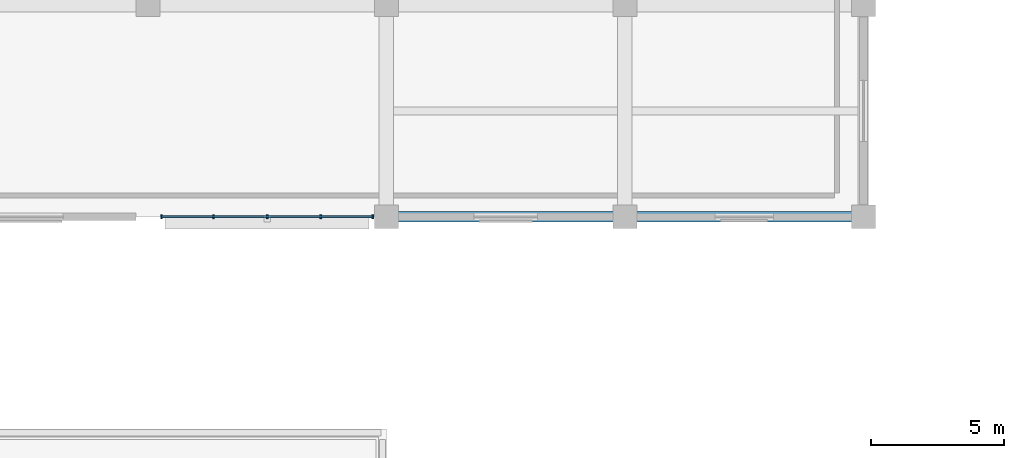
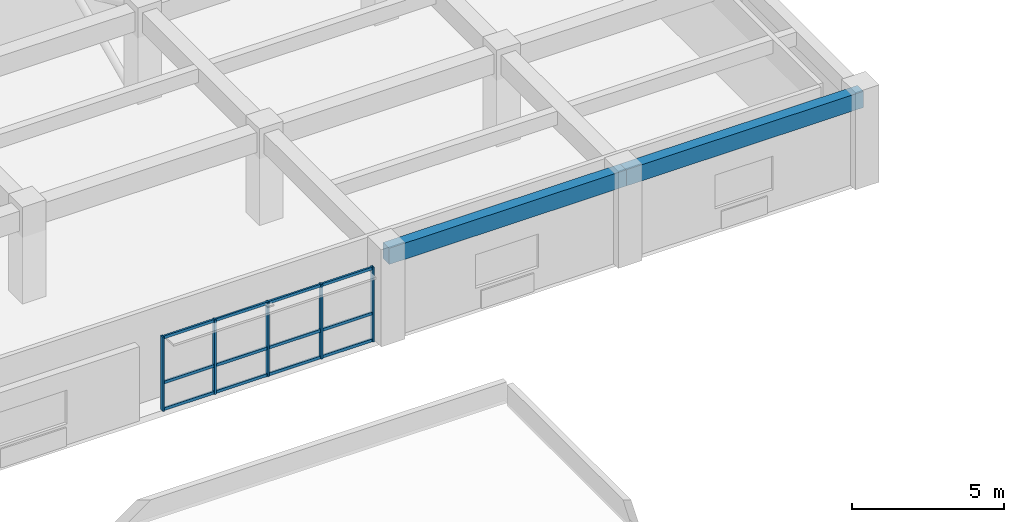
# One storey, part 3 of 23: 8 members, 2 beams, 1 element without a shape of its own.
"""IFC4 building model written with IfcOpenShell, lengths in metres."""

from ifc_helpers import new_model, si_unit, direction, frame, origin, origin_2d, place, context, subcontext, project, spatial, rectangle, extrude, material, material_profile, profile_set, type_object, element, aggregate, save


model = new_model("IFC4")

# Units and contexts
model_context = context("Model", 3, precision=1e-05, world=origin(), true_north=direction((0.0, 1.0)))
body_context = subcontext(model_context, "Body", "Model", "MODEL_VIEW")
ifc_project = project(units=[si_unit("LENGTHUNIT", "METRE"), si_unit("AREAUNIT", "SQUARE_METRE"), si_unit("VOLUMEUNIT", "CUBIC_METRE"), si_unit("PLANEANGLEUNIT", "RADIAN"), si_unit("MASSUNIT", "GRAM", prefix="KILO")], contexts=[model_context])

# Site, building, storey
site_placement = place(None, origin())
site = spatial("IfcSite", under=ifc_project, at=site_placement, CompositionType="ELEMENT")
building_placement = place(site_placement, origin())
building = spatial("IfcBuilding", under=site, at=building_placement, Name="Zaverband Oceanarium and Marine Research Institute", CompositionType="ELEMENT")
storey_placement = place(building_placement, frame((0.0, 0.0, 21.89990234375)))
storey = spatial("IfcBuildingStorey", under=building, at=storey_placement, Name="L05", CompositionType="ELEMENT", Elevation=21.89990234375)

# Curtain wall, members
ifc_material_1 = material(Name="Thermally broken anodized aluminium and solar-control glass", Category="aluminium")
curtain_wall_type = type_object("IfcCurtainWallType", Name="CW-UNIT-1800", PredefinedType="NOTDEFINED", material=ifc_material_1)
curtain_wall_placement = place(storey_placement, origin())
curtain_wall = element("IfcCurtainWall", 1, at=curtain_wall_placement, inside=storey, type_object=curtain_wall_type, Name="Unitised glazed curtain wall CW-069", PredefinedType="NOTDEFINED")
ifc_material_2 = material(Name="Thermally broken anodized aluminium", Category="aluminium")
ifc_material_profile_1 = material_profile(ifc_material_2, rectangle(XDim=0.070068359375, YDim=0.14990234375, at=origin_2d()), Name="AL-MUL-70x150")
ifc_profile_set_1 = profile_set([ifc_material_profile_1], Name="Thermally broken anodized aluminium")
member_type_1 = type_object("IfcMemberType", Name="MUL-70x150", PredefinedType="MULLION", material=ifc_profile_set_1)
member_1_placement = place(storey_placement, frame((45.514892578125, 64.0, 0.0), z_axis=(0.0, 0.0, 1.0), x_axis=(1.0, 0.0, 0.0)))
member_1 = element("IfcMember", 2, at=member_1_placement, type_object=member_type_1, Name="Curtain wall vertical mullion MUL-70x150", PredefinedType="MULLION", context=body_context, shape_type="SweptSolid", body=[
    extrude(rectangle(XDim=0.070068359375, YDim=0.14990234375, at=origin_2d()), origin(), (0.0, 0.0, 1.0), 2.97998046875),
])
member_2_placement = place(storey_placement, frame((47.4775390625, 64.0, 0.0), z_axis=(0.0, 0.0, 1.0), x_axis=(1.0, 0.0, 0.0)))
member_2 = element("IfcMember", 3, at=member_2_placement, type_object=member_type_1, Name="Curtain wall vertical mullion MUL-70x150", PredefinedType="MULLION", context=body_context, shape_type="SweptSolid", body=[
    extrude(rectangle(XDim=0.070068359375, YDim=0.14990234375, at=origin_2d()), origin(), (0.0, 0.0, 1.0), 2.97998046875),
])
member_3_placement = place(storey_placement, frame((49.5, 64.0, 0.0), z_axis=(0.0, 0.0, 1.0), x_axis=(1.0, 0.0, 0.0)))
member_3 = element("IfcMember", 4, at=member_3_placement, type_object=member_type_1, Name="Curtain wall vertical mullion MUL-70x150", PredefinedType="MULLION", context=body_context, shape_type="SweptSolid", body=[
    extrude(rectangle(XDim=0.070068359375, YDim=0.14990234375, at=origin_2d()), origin(), (0.0, 0.0, 1.0), 2.97998046875),
])
member_4_placement = place(storey_placement, frame((51.5224609375, 64.0, 0.0), z_axis=(0.0, 0.0, 1.0), x_axis=(1.0, 0.0, 0.0)))
member_4 = element("IfcMember", 5, at=member_4_placement, type_object=member_type_1, Name="Curtain wall vertical mullion MUL-70x150", PredefinedType="MULLION", context=body_context, shape_type="SweptSolid", body=[
    extrude(rectangle(XDim=0.070068359375, YDim=0.14990234375, at=origin_2d()), origin(), (0.0, 0.0, 1.0), 2.97998046875),
])
member_5_placement = place(storey_placement, frame((53.485107421875, 64.0, 0.0), z_axis=(0.0, 0.0, 1.0), x_axis=(1.0, 0.0, 0.0)))
member_5 = element("IfcMember", 6, at=member_5_placement, type_object=member_type_1, Name="Curtain wall vertical mullion MUL-70x150", PredefinedType="MULLION", context=body_context, shape_type="SweptSolid", body=[
    extrude(rectangle(XDim=0.070068359375, YDim=0.14990234375, at=origin_2d()), origin(), (0.0, 0.0, 1.0), 2.97998046875),
])

# Beams
ifc_material_3 = material(Name="Concrete C40/50", Category="concrete")
ifc_material_profile_2 = material_profile(ifc_material_3, rectangle(XDim=0.39990234375, YDim=0.64990234375, at=origin_2d()), Name="RC400x650")
ifc_profile_set_2 = profile_set([ifc_material_profile_2], Name="Concrete C40/50")
beam_type = type_object("IfcBeamType", Name="SPN-400x650", PredefinedType="SPANDREL", material=ifc_profile_set_2)
for number, where, z_axis, x_axis, name in (
    (7, (54.0, 64.0, 3.3251953125), (1.0, 0.0, 0.0), (0.0, 1.0, 0.0), "Perimeter spandrel beam SPN-400x650"),
    (8, (63.0, 64.0, 3.3251953125), (1.0, 0.0, 0.0), (0.0, 1.0, 0.0), "Perimeter spandrel beam SPN-400x650"),
):
    element("IfcBeam", number, at=place(storey_placement, frame(where, z_axis=z_axis, x_axis=x_axis)), inside=storey, type_object=beam_type, Name=name, PredefinedType="SPANDREL", context=body_context, shape_type="SweptSolid", body=[
        extrude(rectangle(XDim=0.39990234375, YDim=0.64990234375, at=origin_2d()), origin(), (0.0, 0.0, 1.0), 9.0),
    ])

# Member
ifc_material_profile_3 = material_profile(ifc_material_2, rectangle(XDim=0.070068359375, YDim=0.114990234375, at=origin_2d()), Name="AL-TRN-70x115")
ifc_profile_set_3 = profile_set([ifc_material_profile_3], Name="Thermally broken anodized aluminium")
member_type_2 = type_object("IfcMemberType", Name="TRN-70x115", PredefinedType="USERDEFINED", material=ifc_profile_set_3)
member_6_placement = place(storey_placement, frame((45.514892578125, 64.0, 0.050048828125), z_axis=(1.0, 0.0, 0.0), x_axis=(0.0, 1.0, 0.0)))
member_6 = element("IfcMember", 9, at=member_6_placement, type_object=member_type_2, Name="Curtain wall horizontal transom TRN-70x115", ObjectType="TRANSOM", PredefinedType="USERDEFINED", context=body_context, shape_type="SweptSolid", body=[
    extrude(rectangle(XDim=0.070068359375, YDim=0.114990234375, at=origin_2d()), origin(), (0.0, 0.0, 1.0), 7.97021484375),
])

member_7_placement = place(storey_placement, frame((45.514892578125, 64.0, 1.123046875), z_axis=(1.0, 0.0, 0.0), x_axis=(0.0, 1.0, 0.0)))
member_7 = element("IfcMember", 10, at=member_7_placement, type_object=member_type_2, Name="Curtain wall horizontal transom TRN-70x115", ObjectType="TRANSOM", PredefinedType="USERDEFINED", context=body_context, shape_type="SweptSolid", body=[
    extrude(rectangle(XDim=0.070068359375, YDim=0.114990234375, at=origin_2d()), origin(), (0.0, 0.0, 1.0), 7.97021484375),
])

member_8_placement = place(storey_placement, frame((45.514892578125, 64.0, 2.93017578125), z_axis=(1.0, 0.0, 0.0), x_axis=(0.0, 1.0, 0.0)))
member_8 = element("IfcMember", 11, at=member_8_placement, type_object=member_type_2, Name="Curtain wall horizontal transom TRN-70x115", ObjectType="TRANSOM", PredefinedType="USERDEFINED", context=body_context, shape_type="SweptSolid", body=[
    extrude(rectangle(XDim=0.070068359375, YDim=0.114990234375, at=origin_2d()), origin(), (0.0, 0.0, 1.0), 7.97021484375),
])

aggregate(curtain_wall, [member_1, member_2, member_3, member_4, member_5, member_6, member_7, member_8])

save(model, "model.ifc")
